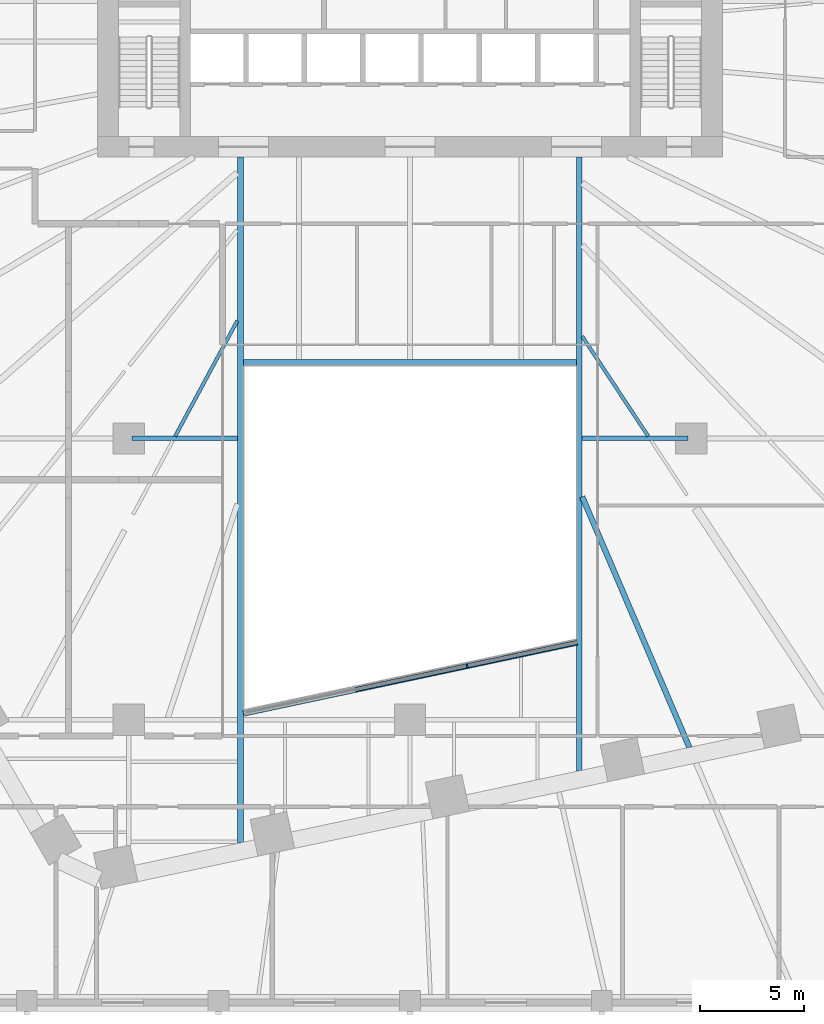
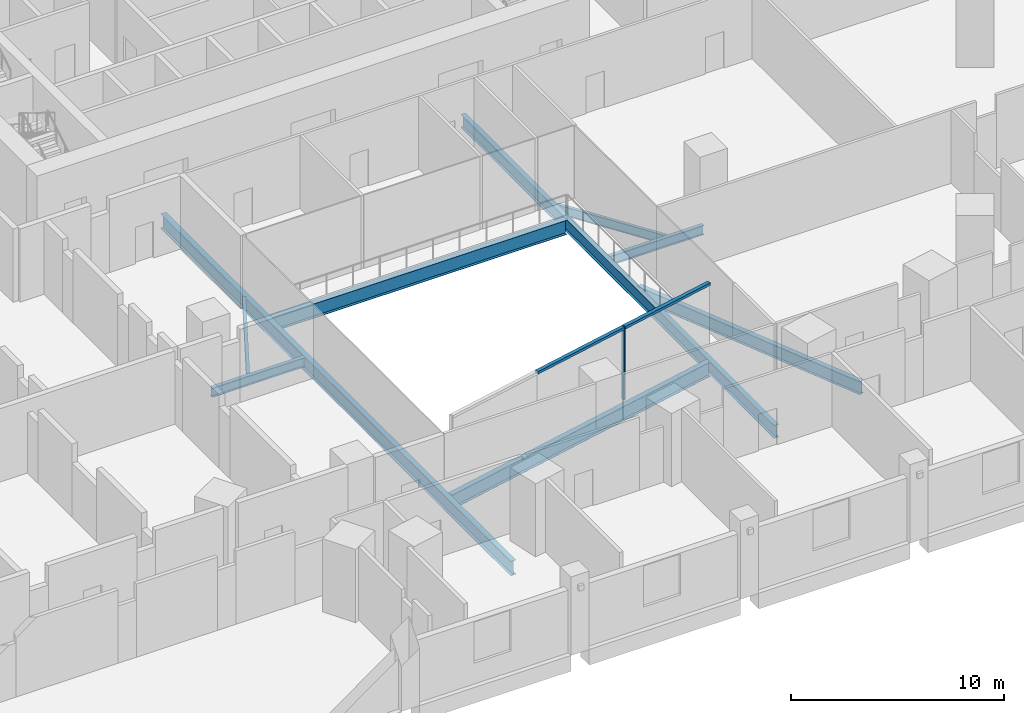
# One storey, part 3 of 33: 9 beams, 3 members, 1 element without a shape of its own.
"""IFC4 building model written with IfcOpenShell, lengths in metres."""

from ifc_helpers import new_model, si_unit, direction, frame, origin, origin_2d, place, context, subcontext, project, spatial, rectangle, i_section, extrude, material, layer, layer_set, material_profile, profile_set, type_object, element, aggregate, save


model = new_model("IFC4")

# Units and contexts
model_context = context("Model", 3, precision=1e-05, world=origin(), true_north=direction((0.0, 1.0)))
body_context = subcontext(model_context, "Body", "Model", "MODEL_VIEW")
ifc_project = project(units=[si_unit("LENGTHUNIT", "METRE"), si_unit("AREAUNIT", "SQUARE_METRE"), si_unit("VOLUMEUNIT", "CUBIC_METRE"), si_unit("PLANEANGLEUNIT", "RADIAN"), si_unit("MASSUNIT", "GRAM", prefix="KILO")], contexts=[model_context])

# Site, building, storey
site_placement = place(None, origin())
site = spatial("IfcSite", under=ifc_project, at=site_placement, CompositionType="ELEMENT")
building_placement = place(site_placement, origin())
building = spatial("IfcBuilding", under=site, at=building_placement, Name="Isthmus Gate Tower", CompositionType="ELEMENT")
storey_placement = place(building_placement, frame((0.0, 0.0, 22.5)))
storey = spatial("IfcBuildingStorey", under=building, at=storey_placement, Name="L03", CompositionType="ELEMENT", Elevation=22.5)

# Curtain wall, members
ifc_material_1 = material(Name="Aluminium, pale champagne anodised", Category="aluminium")
ifc_layer = layer(ifc_material_1, 0.199951171875)
ifc_layer_set = layer_set([ifc_layer], Name="CW-4 ATRIUM CURTAIN WALL 200 DEEP")
curtain_wall_type = type_object("IfcCurtainWallType", Name="CW-4 ATRIUM CURTAIN WALL 200 DEEP", PredefinedType="NOTDEFINED", material=ifc_layer_set)
curtain_wall_placement = place(storey_placement, origin())
curtain_wall = element("IfcCurtainWall", 1, at=curtain_wall_placement, inside=storey, type_object=curtain_wall_type, Name="CW-4 atrium south L03", PredefinedType="NOTDEFINED")
ifc_material_2 = material(Name="Aluminium, pale champagne anodised", Category="aluminium")
ifc_material_profile_1 = material_profile(ifc_material_2, rectangle(XDim=0.080078125, YDim=0.199951171875, at=origin_2d()), Name="80x200")
ifc_profile_set_1 = profile_set([ifc_material_profile_1], Name="Aluminium, pale champagne anodised")
member_type_1 = type_object("IfcMemberType", Name="CW-4 MULLION 80 X 200", PredefinedType="MULLION", material=ifc_profile_set_1)
member_1_placement = place(storey_placement, frame((2.737060546875, -24.415283203125, 0.0), z_axis=(0.0, 0.0, 1.0), x_axis=(0.978147600734, 0.207911690818, 0.0)))
member_1 = element("IfcMember", 2, at=member_1_placement, type_object=member_type_1, Name="CW-4 mullion", PredefinedType="MULLION", context=body_context, shape_type="SweptSolid", body=[
    extrude(rectangle(XDim=0.080078125, YDim=0.199951171875, at=origin_2d()), origin(), (0.0, 0.0, 1.0), 4.199951171875),
])
ifc_material_3 = material(Name="Aluminium, pale champagne anodised", Category="aluminium")
ifc_material_profile_2 = material_profile(ifc_material_3, rectangle(XDim=0.199951171875, YDim=0.14990234375, at=origin_2d()), Name="200x150")
ifc_profile_set_2 = profile_set([ifc_material_profile_2], Name="Aluminium, pale champagne anodised")
member_type_2 = type_object("IfcMemberType", Name="CW-4 TRANSOM 200 X 150", PredefinedType="USERDEFINED", material=ifc_profile_set_2)
member_2_placement = place(storey_placement, frame((-2.635498046875, -25.55712890625, 4.125), z_axis=(0.978150315113, 0.207898920259, 0.0), x_axis=(-0.207898920259, 0.978150315113, 0.0)))
member_2 = element("IfcMember", 3, at=member_2_placement, type_object=member_type_2, Name="CW-4 transom", ObjectType="TRANSOM", PredefinedType="USERDEFINED", context=body_context, shape_type="SweptSolid", body=[
    extrude(rectangle(XDim=0.199951171875, YDim=0.14990234375, at=origin_2d()), origin(), (0.0, 0.0, 1.0), 5.452392578125),
])
member_3_placement = place(storey_placement, frame((2.776123046875, -24.406982421875, 4.125), z_axis=(0.978140946274, 0.207942995129, 0.0), x_axis=(-0.207942995129, 0.978140946274, 0.0)))
member_3 = element("IfcMember", 4, at=member_3_placement, type_object=member_type_2, Name="CW-4 transom", ObjectType="TRANSOM", PredefinedType="USERDEFINED", context=body_context, shape_type="SweptSolid", body=[
    extrude(rectangle(XDim=0.199951171875, YDim=0.14990234375, at=origin_2d()), origin(), (0.0, 0.0, 1.0), 5.37255859375),
])
aggregate(curtain_wall, [member_2, member_1, member_3])

# Beams
ifc_material_4 = material(Name="Structural steel ASTM A992 Gr 50", Category="steel")
ifc_material_profile_3 = material_profile(ifc_material_4, i_section(OverallWidth=0.1650390625, OverallDepth=0.52392578125, WebThickness=0.009521484375, FlangeThickness=0.010986328125, at=origin_2d()), Name="W21X44")
ifc_profile_set_3 = profile_set([ifc_material_profile_3], Name="Structural steel ASTM A992 Gr 50")
beam_type_1 = type_object("IfcBeamType", Name="STEEL FLOOR BEAM W21X44", PredefinedType="JOIST", material=ifc_profile_set_3)
beam_1_placement = place(storey_placement, frame((-8.2919921875, -7.853515625, -0.56201171875), z_axis=(-0.473873091662, -0.880593148394, 0.0), x_axis=(0.880593148394, -0.473873091662, 0.0)))
element("IfcBeam", 5, at=beam_1_placement, inside=storey, type_object=beam_type_1, Name="str-beam-L03-15-41", PredefinedType="JOIST", context=body_context, shape_type="SweptSolid", body=[
    extrude(i_section(OverallWidth=0.1650390625, OverallDepth=0.52392578125, WebThickness=0.009521484375, FlangeThickness=0.010986328125, at=origin_2d()), origin(), (0.0, 0.0, 1.0), 6.293212890625),
])
beam_2_placement = place(storey_placement, frame((8.263427734375, -8.598388671875, -0.56201171875), z_axis=(0.550910849409, -0.834564099398, 0.0), x_axis=(0.834564099398, 0.550910849409, 0.0)))
element("IfcBeam", 6, at=beam_2_placement, inside=storey, type_object=beam_type_1, Name="str-beam-L03-15-52", PredefinedType="JOIST", context=body_context, shape_type="SweptSolid", body=[
    extrude(i_section(OverallWidth=0.1650390625, OverallDepth=0.52392578125, WebThickness=0.009521484375, FlangeThickness=0.010986328125, at=origin_2d()), origin(), (0.0, 0.0, 1.0), 5.747802734375),
])
ifc_material_5 = material(Name="Structural steel ASTM A992 Gr 50", Category="steel")
ifc_material_profile_4 = material_profile(ifc_material_5, i_section(OverallWidth=0.263427734375, OverallDepth=0.749267578125, WebThickness=0.0126953125, FlangeThickness=0.015869140625, at=origin_2d()), Name="W30X90")
ifc_profile_set_4 = profile_set([ifc_material_profile_4], Name="Structural steel ASTM A992 Gr 50")
beam_type_2 = type_object("IfcBeamType", Name="STEEL FLOOR BEAM W30X90", PredefinedType="JOIST", material=ifc_profile_set_4)
beam_3_placement = place(storey_placement, frame((8.263427734375, -16.3017578125, -0.674560546875), z_axis=(0.393027312613, -0.919526797619, 0.0), x_axis=(0.919526797619, 0.393027312613, 0.0)))
element("IfcBeam", 7, at=beam_3_placement, inside=storey, type_object=beam_type_2, Name="str-beam-L03-15-50", PredefinedType="JOIST", context=body_context, shape_type="SweptSolid", body=[
    extrude(i_section(OverallWidth=0.263427734375, OverallDepth=0.749267578125, WebThickness=0.0126953125, FlangeThickness=0.015869140625, at=origin_2d()), origin(), (0.0, 0.0, 1.0), 13.083984375),
])
ifc_material_6 = material(Name="Structural steel ASTM A992 Gr 50", Category="steel")
ifc_material_profile_5 = material_profile(ifc_material_6, i_section(OverallWidth=0.20947265625, OverallDepth=0.533447265625, WebThickness=0.009521484375, FlangeThickness=0.015869140625, at=origin_2d()), Name="W21X62")
ifc_profile_set_5 = profile_set([ifc_material_profile_5], Name="Structural steel ASTM A992 Gr 50")
beam_type_3 = type_object("IfcBeamType", Name="STEEL GIRDER W21X62", PredefinedType="BEAM", material=ifc_profile_set_5)
beam_4_placement = place(storey_placement, frame((-13.34765625, -13.5, -0.566650390625), z_axis=(1.0, 0.0, 0.0), x_axis=(0.0, 1.0, 0.0)))
element("IfcBeam", 8, at=beam_4_placement, inside=storey, type_object=beam_type_3, Name="str-girder-L03-06", PredefinedType="BEAM", context=body_context, shape_type="SweptSolid", body=[
    extrude(i_section(OverallWidth=0.20947265625, OverallDepth=0.533447265625, WebThickness=0.009521484375, FlangeThickness=0.015869140625, at=origin_2d()), origin(), (0.0, 0.0, 1.0), 5.0556640625),
])
beam_5_placement = place(storey_placement, frame((8.263427734375, -13.5, -0.566650390625), z_axis=(1.0, 0.0, 0.0), x_axis=(0.0, 1.0, 0.0)))
element("IfcBeam", 9, at=beam_5_placement, inside=storey, type_object=beam_type_3, Name="str-girder-L03-07", PredefinedType="BEAM", context=body_context, shape_type="SweptSolid", body=[
    extrude(i_section(OverallWidth=0.20947265625, OverallDepth=0.533447265625, WebThickness=0.009521484375, FlangeThickness=0.015869140625, at=origin_2d()), origin(), (0.0, 0.0, 1.0), 5.084228515625),
])
ifc_material_7 = material(Name="Structural steel ASTM A992 Gr 50", Category="steel")
ifc_material_profile_6 = material_profile(ifc_material_7, i_section(OverallWidth=0.263427734375, OverallDepth=0.749267578125, WebThickness=0.0126953125, FlangeThickness=0.015869140625, at=origin_2d()), Name="W30X90")
ifc_profile_set_6 = profile_set([ifc_material_profile_6], Name="Structural steel ASTM A992 Gr 50")
beam_type_4 = type_object("IfcBeamType", Name="STEEL TRIMMER W30X90", PredefinedType="BEAM", material=ifc_profile_set_6)
beam_6_placement = place(storey_placement, frame((8.1318359375, -29.45361328125, -0.674560546875), z_axis=(0.0, 1.0, 0.0), x_axis=(-1.0, 0.0, 0.0)))
element("IfcBeam", 10, at=beam_6_placement, inside=storey, type_object=beam_type_4, Name="str-trimmer-L03-01", PredefinedType="BEAM", context=body_context, shape_type="SweptSolid", body=[
    extrude(i_section(OverallWidth=0.263427734375, OverallDepth=0.749267578125, WebThickness=0.0126953125, FlangeThickness=0.015869140625, at=origin_2d()), origin(), (0.0, 0.0, 1.0), 29.45361328125),
])
ifc_material_8 = material(Name="Structural steel ASTM A992 Gr 50", Category="steel")
ifc_material_profile_7 = material_profile(ifc_material_8, i_section(OverallWidth=0.2919921875, OverallDepth=0.8349609375, WebThickness=0.014404296875, FlangeThickness=0.01904296875, at=origin_2d()), Name="W33X118")
ifc_profile_set_7 = profile_set([ifc_material_profile_7], Name="Structural steel ASTM A992 Gr 50")
beam_type_5 = type_object("IfcBeamType", Name="STEEL TRIMMER W33X118", PredefinedType="BEAM", material=ifc_profile_set_7)
beam_7_placement = place(storey_placement, frame((-8.14599609375, 0.0, -0.717529296875), z_axis=(0.0, -1.0, 0.0), x_axis=(1.0, 0.0, 0.0)))
element("IfcBeam", 11, at=beam_7_placement, inside=storey, type_object=beam_type_5, Name="str-trimmer-L03-02", PredefinedType="BEAM", context=body_context, shape_type="SweptSolid", body=[
    extrude(i_section(OverallWidth=0.2919921875, OverallDepth=0.8349609375, WebThickness=0.014404296875, FlangeThickness=0.01904296875, at=origin_2d()), origin(), (0.0, 0.0, 1.0), 32.91357421875),
])
beam_8_placement = place(storey_placement, frame((-8.0, -26.693359375, -0.717529296875), z_axis=(0.978147924985, 0.20791016533, 0.0), x_axis=(-0.20791016533, 0.978147924985, 0.0)))
element("IfcBeam", 12, at=beam_8_placement, inside=storey, type_object=beam_type_5, Name="str-trimmer-L03-11", PredefinedType="BEAM", context=body_context, shape_type="SweptSolid", body=[
    extrude(i_section(OverallWidth=0.2919921875, OverallDepth=0.8349609375, WebThickness=0.014404296875, FlangeThickness=0.01904296875, at=origin_2d()), origin(), (0.0, 0.0, 1.0), 16.357421875),
])
beam_9_placement = place(storey_placement, frame((8.0, -9.85400390625, -0.717529296875), z_axis=(-1.0, 0.0, 0.0), x_axis=(0.0, -1.0, 0.0)))
element("IfcBeam", 13, at=beam_9_placement, inside=storey, type_object=beam_type_5, Name="str-trimmer-L03-12", PredefinedType="BEAM", context=body_context, shape_type="SweptSolid", body=[
    extrude(i_section(OverallWidth=0.2919921875, OverallDepth=0.8349609375, WebThickness=0.014404296875, FlangeThickness=0.01904296875, at=origin_2d()), origin(), (0.0, 0.0, 1.0), 16.0),
])

save(model, "model.ifc")
